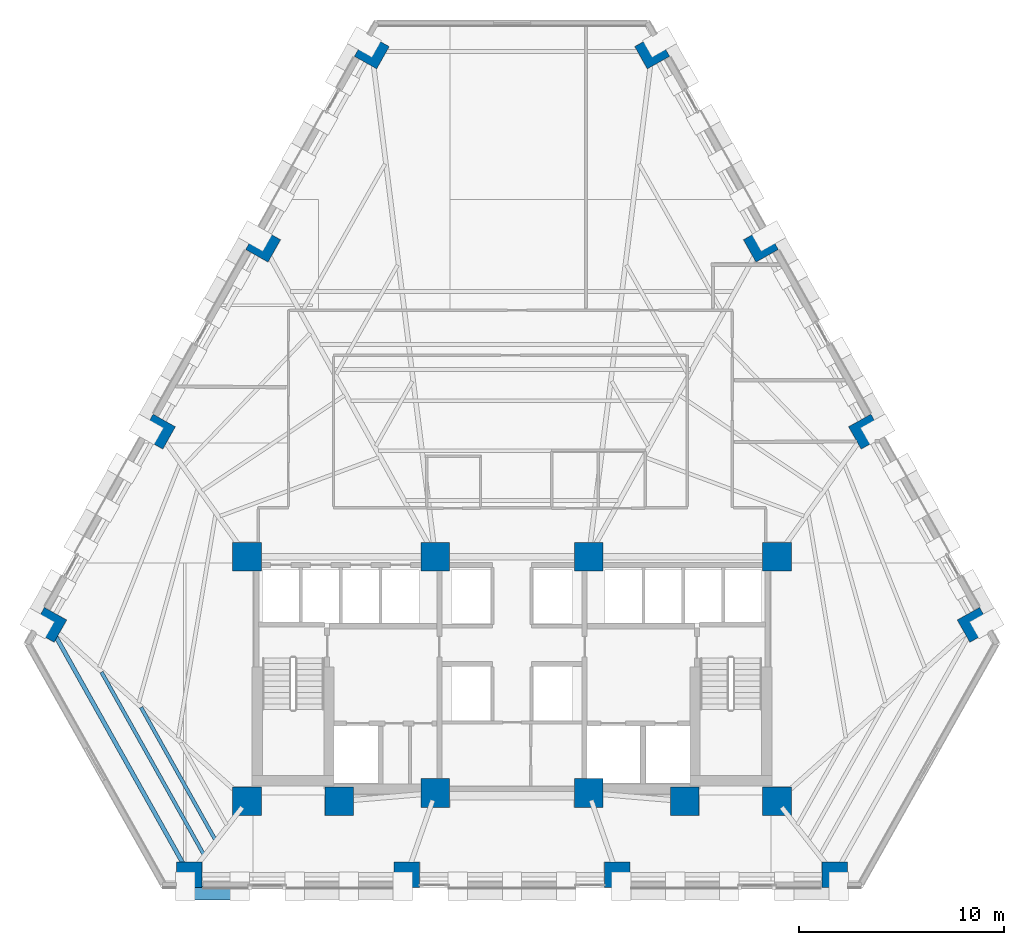
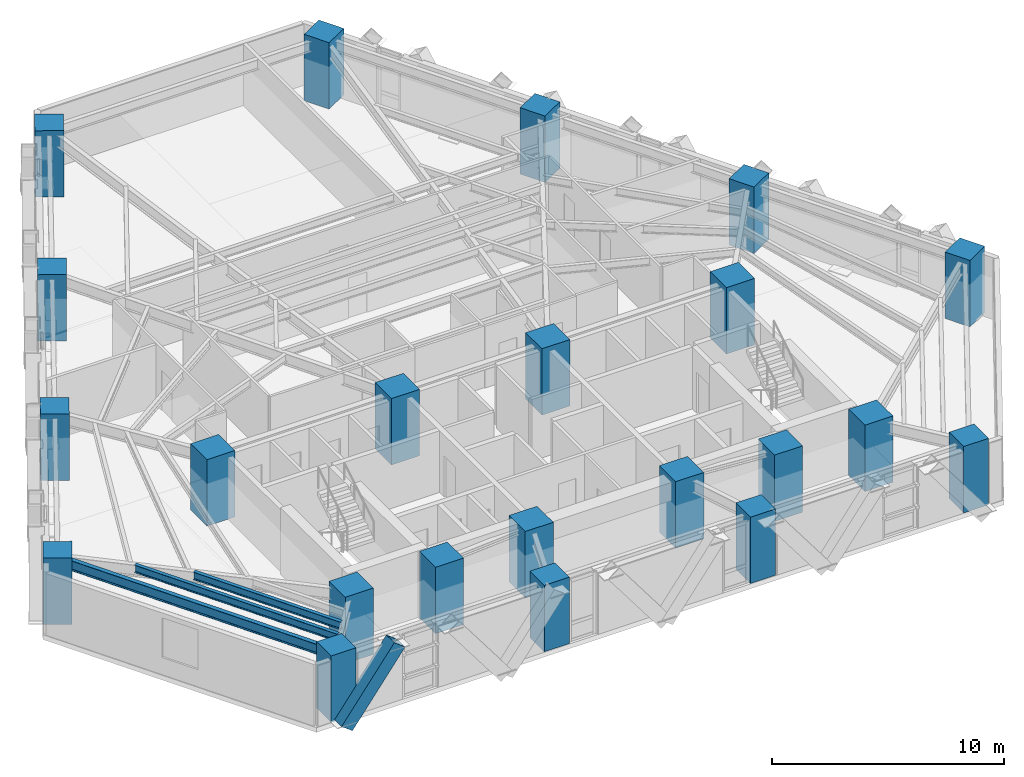
# One storey, part 1 of 13: 22 columns, 3 beams, 1 member.
"""IFC4 building model written with IfcOpenShell, lengths in metres."""

from ifc_helpers import new_model, si_unit, direction, frame, origin, origin_2d, place, context, subcontext, project, spatial, rectangle, hollow_rectangle, i_section, extrude, material, material_profile, profile_set, type_object, element, save


model = new_model("IFC4")

# Units and contexts
model_context = context("Model", 3, precision=1e-05, world=origin(), true_north=direction((0.0, 1.0)))
body_context = subcontext(model_context, "Body", "Model", "MODEL_VIEW")
ifc_project = project(units=[si_unit("LENGTHUNIT", "METRE"), si_unit("AREAUNIT", "SQUARE_METRE"), si_unit("VOLUMEUNIT", "CUBIC_METRE"), si_unit("PLANEANGLEUNIT", "RADIAN"), si_unit("MASSUNIT", "GRAM", prefix="KILO")], contexts=[model_context])

# Site, building, storey
site_placement = place(None, origin())
site = spatial("IfcSite", under=ifc_project, at=site_placement, CompositionType="ELEMENT")
building_placement = place(site_placement, origin())
building = spatial("IfcBuilding", under=site, at=building_placement, Name="Quenlor Broadcast Tower", CompositionType="ELEMENT")
storey_placement = place(building_placement, frame((0.0, 0.0, 48.60009765625)))
storey = spatial("IfcBuildingStorey", under=building, at=storey_placement, Name="L12", CompositionType="ELEMENT", Elevation=48.60009765625)

# Columns
ifc_material_1 = material(Name="Concrete C65/80", Category="concrete")
ifc_material_profile_1 = material_profile(ifc_material_1, rectangle(XDim=1.39990234375, YDim=1.39990234375, at=origin_2d()))
ifc_profile_set_1 = profile_set([ifc_material_profile_1], Name="Concrete C65/80 RC1400x1400")
column_type_1 = type_object("IfcColumnType", Name="Core Corner Column Lower Concrete C65/80 1400", PredefinedType="COLUMN", material=ifc_profile_set_1)
for number, where, z_axis, x_axis, name in (
    (1, (-12.949951171875, -16.75, 0.0), (0.0, 0.0, 1.0), (1.0, 0.0, 0.0), "L12 Core Column CC1"),
    (2, (-8.449951171875, -16.75, 0.0), (0.0, 0.0, 1.0), (1.0, 0.0, 0.0), "L12 Core Column CC2"),
    (3, (-3.75, -16.35009765625, 0.0), (0.0, 0.0, 1.0), (1.0, 0.0, 0.0), "L12 Core Column CC3"),
    (4, (3.75, -16.35009765625, 0.0), (0.0, 0.0, 1.0), (1.0, 0.0, 0.0), "L12 Core Column CC4"),
    (5, (8.449951171875, -16.75, 0.0), (0.0, 0.0, 1.0), (1.0, 0.0, 0.0), "L12 Core Column CC5"),
    (6, (12.949951171875, -16.75, 0.0), (0.0, 0.0, 1.0), (1.0, 0.0, 0.0), "L12 Core Column CC6"),
    (7, (-12.949951171875, -4.800048828125, 0.0), (0.0, 0.0, 1.0), (1.0, 0.0, 0.0), "L12 Core Column CC7"),
    (8, (-3.75, -4.800048828125, 0.0), (0.0, 0.0, 1.0), (1.0, 0.0, 0.0), "L12 Core Column CC8"),
    (9, (3.75, -4.800048828125, 0.0), (0.0, 0.0, 1.0), (1.0, 0.0, 0.0), "L12 Core Column CC9"),
    (10, (12.949951171875, -4.800048828125, 0.0), (0.0, 0.0, 1.0), (1.0, 0.0, 0.0), "L12 Core Column CC10"),
):
    element("IfcColumn", number, at=place(storey_placement, frame(where, z_axis=z_axis, x_axis=x_axis)), inside=storey, type_object=column_type_1, Name=name, PredefinedType="COLUMN", context=body_context, shape_type="SweptSolid", body=[
        extrude(rectangle(XDim=1.39990234375, YDim=1.39990234375, at=origin_2d()), origin(), (0.0, 0.0, 1.0), 3.5),
    ])
ifc_material_2 = material(Name="Concrete C65/80", Category="concrete")
ifc_material_profile_2 = material_profile(ifc_material_2, rectangle(XDim=1.25, YDim=1.25, at=origin_2d()))
ifc_profile_set_2 = profile_set([ifc_material_profile_2], Name="Concrete C65/80 RC1250x1250")
column_type_2 = type_object("IfcColumnType", Name="Tower Perimeter Column Z1 Concrete C65/80 1250", PredefinedType="COLUMN", material=ifc_profile_set_2)
for number, where, z_axis, x_axis, name in (
    (11, (-15.76513671875, -20.35009765625, 0.0), (0.0, 0.0, 1.0), (0.0, 1.0, 0.0), "L12 Perimeter Column S1"),
    (12, (-5.140869140625, -20.35009765625, 0.0), (0.0, 0.0, 1.0), (0.0, 1.0, 0.0), "L12 Perimeter Column S2"),
    (13, (5.140869140625, -20.35009765625, 0.0), (0.0, 0.0, 1.0), (0.0, 1.0, 0.0), "L12 Perimeter Column S3"),
    (14, (15.76513671875, -20.35009765625, 0.0), (0.0, 0.0, 1.0), (0.0, 1.0, 0.0), "L12 Perimeter Column S4"),
    (15, (22.6162109375, -8.132080078125, 0.0), (0.0, 0.0, 1.0), (0.871575139605, 0.490261946333, 0.0), "L12 Perimeter Column NE1"),
    (16, (17.303955078125, 1.311767578125, 0.0), (0.0, 0.0, 1.0), (0.871575139605, 0.490261946333, 0.0), "L12 Perimeter Column NE2"),
    (17, (12.1630859375, 10.450927734375, 0.0), (0.0, 0.0, 1.0), (0.871575139605, 0.490261946333, 0.0), "L12 Perimeter Column NE3"),
    (18, (6.850830078125, 19.894775390625, 0.0), (0.0, 0.0, 1.0), (0.871575139605, 0.490261946333, 0.0), "L12 Perimeter Column NE4"),
    (19, (-6.850830078125, 19.894775390625, 0.0), (0.0, 0.0, 1.0), (-0.871575139605, 0.490261946333, 0.0), "L12 Perimeter Column NW1"),
    (20, (-12.1630859375, 10.450927734375, 0.0), (0.0, 0.0, 1.0), (-0.871575139605, 0.490261946333, 0.0), "L12 Perimeter Column NW2"),
    (21, (-17.303955078125, 1.311767578125, 0.0), (0.0, 0.0, 1.0), (-0.871575139605, 0.490261946333, 0.0), "L12 Perimeter Column NW3"),
    (22, (-22.6162109375, -8.132080078125, 0.0), (0.0, 0.0, 1.0), (-0.871575139605, 0.490261946333, 0.0), "L12 Perimeter Column NW4"),
):
    element("IfcColumn", number, at=place(storey_placement, frame(where, z_axis=z_axis, x_axis=x_axis)), inside=storey, type_object=column_type_2, Name=name, PredefinedType="COLUMN", context=body_context, shape_type="SweptSolid", body=[
        extrude(rectangle(XDim=1.25, YDim=1.25, at=origin_2d()), origin(), (0.0, 0.0, 1.0), 3.5),
    ])

# Member
ifc_material_3 = material(Name="Steel S355", Category="steel")
ifc_material_profile_3 = material_profile(ifc_material_3, hollow_rectangle(XDim=0.679931640625, YDim=0.679931640625, WallThickness=0.034912109375, at=origin_2d()))
ifc_profile_set_3 = profile_set([ifc_material_profile_3], Name="Steel S355 RHS680x680x35")
member_type = type_object("IfcMemberType", Name="Perimeter Diagonal Lattice Brace Z1 Steel S355 RHS680x35", PredefinedType="BRACE", material=ifc_profile_set_3)
member_placement = place(storey_placement, frame((-15.945068359375, -21.235107421875, -0.1201171875), z_axis=(0.600463982679, 0.0, 0.799651802665), x_axis=(0.0, 1.0, 0.0)))
element("IfcMember", 23, at=member_placement, inside=storey, type_object=member_type, Name="L12 Perimeter Diamond Lattice S-C4B", PredefinedType="BRACE", context=body_context, shape_type="SweptSolid", body=[
    extrude(hollow_rectangle(XDim=0.679931640625, YDim=0.679931640625, WallThickness=0.034912109375, at=origin_2d()), origin(), (0.0, 0.0, 1.0), 4.376953125),
])

# Beams
ifc_material_4 = material(Name="Steel S355", Category="steel")
ifc_material_profile_4 = material_profile(ifc_material_4, i_section(OverallWidth=0.208984375, OverallDepth=0.532958984375, WebThickness=0.01025390625, FlangeThickness=0.015625, FilletRadius=0.013916015625, at=origin_2d()))
ifc_profile_set_4 = profile_set([ifc_material_profile_4], Name="Steel S355 530UB92.4")
beam_type_1 = type_object("IfcBeamType", Name="Perimeter Spandrel Beam Z1 Steel S355 530UB92.4", PredefinedType="SPANDREL", material=ifc_profile_set_4)
beam_1_placement = place(storey_placement, frame((-22.41552734375, -8.48974609375, 2.9833984375), z_axis=(0.489090917871, -0.87223280955, 0.0), x_axis=(0.87223280955, 0.489090917871, 0.0)))
element("IfcBeam", 24, at=beam_1_placement, inside=storey, type_object=beam_type_1, Name="L12 Spandrel Beam NW4-S1", PredefinedType="SPANDREL", context=body_context, shape_type="SweptSolid", body=[
    extrude(i_section(OverallWidth=0.208984375, OverallDepth=0.532958984375, WebThickness=0.01025390625, FlangeThickness=0.015625, FilletRadius=0.013916015625, at=origin_2d()), origin(), (0.0, 0.0, 1.0), 13.187744140625),
])
ifc_material_5 = material(Name="Steel S355", Category="steel")
ifc_material_profile_5 = material_profile(ifc_material_5, i_section(OverallWidth=0.177978515625, OverallDepth=0.406494140625, WebThickness=0.0078125, FlangeThickness=0.0126953125, FilletRadius=0.011474609375, at=origin_2d()))
ifc_profile_set_5 = profile_set([ifc_material_profile_5], Name="Steel S355 410UB59.7")
beam_type_2 = type_object("IfcBeamType", Name="Tower Composite Joist Z1 Steel S355 410UB59.7", PredefinedType="JOIST", material=ifc_profile_set_5)
beam_2_placement = place(storey_placement, frame((-14.50927734375, -18.624267578125, 3.046630859375), z_axis=(-0.489088249322, 0.872234305892, 0.0), x_axis=(-0.872234305892, -0.489088249322, 0.0)))
element("IfcBeam", 25, at=beam_2_placement, inside=storey, type_object=beam_type_2, Name="L12 Secondary Composite Joist 20", PredefinedType="JOIST", context=body_context, shape_type="SweptSolid", body=[
    extrude(i_section(OverallWidth=0.177978515625, OverallDepth=0.406494140625, WebThickness=0.0078125, FlangeThickness=0.0126953125, FilletRadius=0.011474609375, at=origin_2d()), origin(), (0.0, 0.0, 1.0), 7.404296875),
])
beam_3_placement = place(storey_placement, frame((-15.072265625, -19.34423828125, 3.046630859375), z_axis=(-0.489081877778, 0.872237878579, 0.0), x_axis=(-0.872237878579, -0.489081877778, 0.0)))
element("IfcBeam", 26, at=beam_3_placement, inside=storey, type_object=beam_type_2, Name="L12 Secondary Composite Joist 21", PredefinedType="JOIST", context=body_context, shape_type="SweptSolid", body=[
    extrude(i_section(OverallWidth=0.177978515625, OverallDepth=0.406494140625, WebThickness=0.0078125, FlangeThickness=0.0126953125, FilletRadius=0.011474609375, at=origin_2d()), origin(), (0.0, 0.0, 1.0), 10.205810546875),
])

save(model, "model.ifc")
